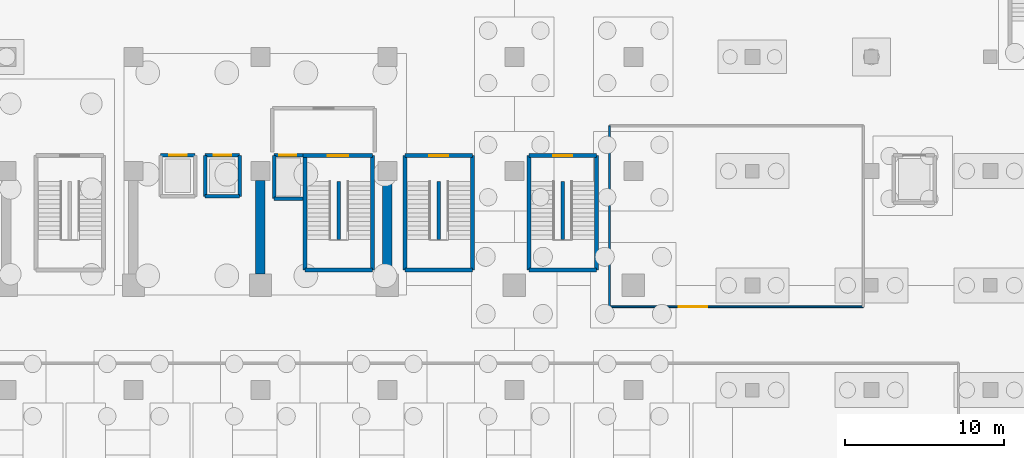
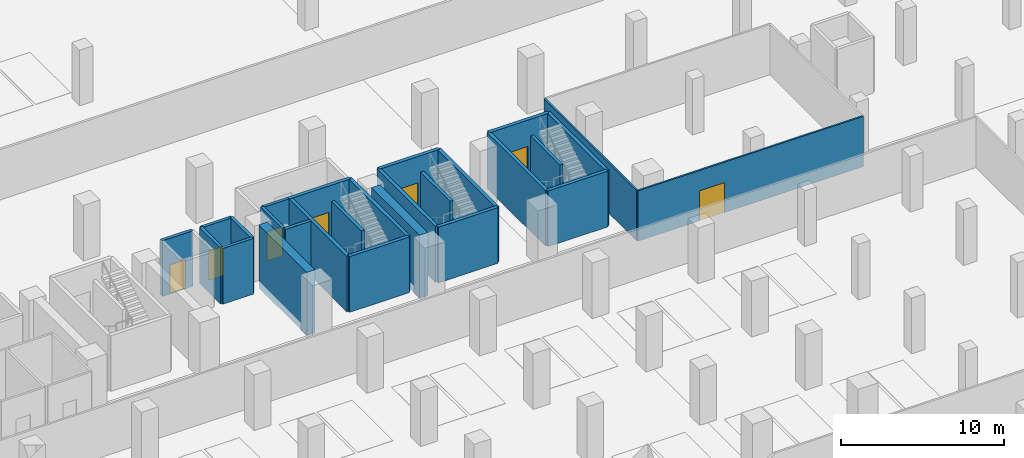
# One storey, part 11 of 26: 27 walls, 7 doors, 7 openings.
"""IFC4 building model written with IfcOpenShell, lengths in metres."""

from ifc_helpers import new_model, si_unit, direction, frame, frame_2d, origin, place, context, subcontext, project, spatial, rectangle, extrude, material, layer, layer_set, type_object, element, fill, save


model = new_model("IFC4")

# Units and contexts
model_context = context("Model", 3, precision=1e-05, world=origin(), true_north=direction((0.0, 1.0)))
body_context = subcontext(model_context, "Body", "Model", "MODEL_VIEW")
ifc_project = project(units=[si_unit("LENGTHUNIT", "METRE"), si_unit("AREAUNIT", "SQUARE_METRE"), si_unit("VOLUMEUNIT", "CUBIC_METRE"), si_unit("PLANEANGLEUNIT", "RADIAN"), si_unit("MASSUNIT", "GRAM", prefix="KILO")], contexts=[model_context])

# Site, building, storey
site_placement = place(None, origin())
site = spatial("IfcSite", under=ifc_project, at=site_placement, CompositionType="ELEMENT")
building_placement = place(site_placement, origin())
building = spatial("IfcBuilding", under=site, at=building_placement, Name="Akrevak Sports Hall", CompositionType="ELEMENT")
storey_placement = place(building_placement, frame((0.0, 0.0, -9.0)))
storey = spatial("IfcBuildingStorey", under=building, at=storey_placement, Name="B02", CompositionType="ELEMENT", Elevation=-9.0)

# Wall, opening, door
ifc_material_1 = material(Name="Standard Metal Stud Partition", Category="gypsum")
ifc_layer_1 = layer(ifc_material_1, 0.1201171875, Name="Standard Metal Stud Partition")
ifc_layer_set_1 = layer_set([ifc_layer_1], Name="Standard Metal Stud Partition")
wall_type_1 = type_object("IfcWallType", Name="ARC-WL-PRT-120", PredefinedType="PARTITIONING", material=ifc_layer_set_1)
wall_1_placement = place(storey_placement, frame((114.0, 53.85009765625, 0.0), z_axis=(0.0, 0.0, 1.0), x_axis=(1.0, 0.0, 0.0)))
wall_1 = element("IfcWall", 1, at=wall_1_placement, inside=storey, type_object=wall_type_1, Name="Interior Partition Athletic Gear & Equipment Storage B02 (S)", PredefinedType="PARTITIONING", context=body_context, shape_type="SweptSolid", body=[
    extrude(rectangle(XDim=16.0, YDim=0.1201171875, at=frame_2d((8.0, 0.0))), origin(), (0.0, 0.0, 1.0), 3.780029296875),
])
opening_1_placement = place(wall_1_placement, frame((4.35009765625, 0.0, 0.0)))
opening_1 = element("IfcOpeningElement", 2, at=opening_1_placement, cuts=wall_1, Name="Opening ID-02", PredefinedType="OPENING", context=body_context, shape_type="SweptSolid", body=[
    extrude(rectangle(XDim=1.800048828125, YDim=2.25, at=frame_2d((0.89990234375, 1.125))), frame((0.0, 0.072021484375, 0.0), z_axis=(0.0, -1.0, 0.0), x_axis=(1.0, 0.0, 0.0)), (0.0, 0.0, 1.0), 0.14404296875),
])
ifc_material_2 = material(Name="Hardwood Oak & Safety Glass", Category="wood")
door_type_1 = type_object("IfcDoorType", Name="ARC-DR-HALL-180x225", OperationType="DOUBLE_DOOR_SINGLE_SWING", PredefinedType="DOOR", material=ifc_material_2)
door_1_placement = place(opening_1_placement, origin())
door_1 = element("IfcDoor", 3, at=door_1_placement, inside=storey, type_object=door_type_1, Name="Door to Athletic Gear & Equipment Storage B02", OperationType="DOUBLE_DOOR_SINGLE_SWING", OverallHeight=2.25, OverallWidth=1.800048828125, PredefinedType="DOOR", context=body_context, shape_type="SweptSolid", body=[
    extrude(rectangle(XDim=1.800048828125, YDim=2.25, at=frame_2d((0.89990234375, 1.125))), frame((0.0, 0.02490234375, 0.0), z_axis=(0.0, -1.0, 0.0), x_axis=(1.0, 0.0, 0.0)), (0.0, 0.0, 1.0), 0.050048828125),
])
fill(opening_1, door_1)

# Walls
wall_2_placement = place(storey_placement, frame((114.0, 53.85009765625, 0.0), z_axis=(0.0, 0.0, 1.0), x_axis=(0.0, 1.0, 0.0)))
element("IfcWall", 4, at=wall_2_placement, inside=storey, type_object=wall_type_1, Name="Interior Partition Athletic Gear & Equipment Storage B02 (W)", PredefinedType="PARTITIONING", context=body_context, shape_type="SweptSolid", body=[
    extrude(rectangle(XDim=11.39990234375, YDim=0.1201171875, at=frame_2d((5.699951171875, 0.0))), origin(), (0.0, 0.0, 1.0), 3.780029296875),
])
ifc_material_3 = material(Name="Concrete C40/50", Category="concrete")
ifc_layer_2 = layer(ifc_material_3, 0.219970703125, Name="Concrete C40/50")
ifc_layer_set_2 = layer_set([ifc_layer_2], Name="Concrete C40/50")
wall_type_2 = type_object("IfcWallType", Name="ARC-WL-PRT-220", PredefinedType="PARTITIONING", material=ifc_layer_set_2)
for number, where, z_axis, x_axis, name in (
    (5, (96.949951171875, 58.094970703125, 0.0), (0.0, 0.0, 1.0), (0.0, 1.0, 0.0), "Stair ST2 Central Spine Wall (B02)"),
    (6, (103.25, 58.094970703125, 0.0), (0.0, 0.0, 1.0), (0.0, 1.0, 0.0), "Stair ST10 Central Spine Wall (B02)"),
    (7, (111.050048828125, 58.094970703125, 0.0), (0.0, 0.0, 1.0), (0.0, 1.0, 0.0), "Stair ST11 Central Spine Wall (B02)"),
):
    element("IfcWall", number, at=place(storey_placement, frame(where, z_axis=z_axis, x_axis=x_axis)), inside=storey, type_object=wall_type_2, Name=name, PredefinedType="PARTITIONING", context=body_context, shape_type="SweptSolid", body=[
        extrude(rectangle(XDim=3.64013671875, YDim=0.219970703125, at=frame_2d((1.820068359375, 0.0))), origin(), (0.0, 0.0, 1.0), 4.179931640625),
    ])
ifc_material_4 = material(Name="Concrete C50/60", Category="concrete")
ifc_layer_3 = layer(ifc_material_4, 0.219970703125, Name="Concrete C50/60")
ifc_layer_set_3 = layer_set([ifc_layer_3], Name="Concrete C50/60")
wall_type_3 = type_object("IfcWallType", Name="ARC-WL-SHAFT-220", PredefinedType="SHEAR", material=ifc_layer_set_3)
wall_3_placement = place(storey_placement, frame((92.860107421875, 60.659912109375, 0.0), z_axis=(0.0, 0.0, 1.0), x_axis=(1.0, 0.0, 0.0)))
element("IfcWall", 8, at=wall_3_placement, inside=storey, type_object=wall_type_3, Name="Lift Shaft LF-FF2 Wall S (B02)", PredefinedType="SHEAR", context=body_context, shape_type="SweptSolid", body=[
    extrude(rectangle(XDim=1.83984375, YDim=0.219970703125, at=frame_2d((0.919921875, 0.0))), origin(), (0.0, 0.0, 1.0), 4.179931640625),
])

# Wall, opening, door
wall_4_placement = place(storey_placement, frame((94.699951171875, 63.389892578125, 0.0), z_axis=(0.0, 0.0, 1.0), x_axis=(-1.0, 0.0, 0.0)))
wall_4 = element("IfcWall", 9, at=wall_4_placement, inside=storey, type_object=wall_type_3, Name="Lift Shaft LF-FF2 Wall N (B02)", PredefinedType="SHEAR", context=body_context, shape_type="SweptSolid", body=[
    extrude(rectangle(XDim=1.83984375, YDim=0.219970703125, at=frame_2d((0.919921875, 0.0))), origin(), (0.0, 0.0, 1.0), 4.179931640625),
])
opening_2_placement = place(wall_4_placement, frame((0.425048828125, 0.0, 0.0)))
opening_2 = element("IfcOpeningElement", 10, at=opening_2_placement, cuts=wall_4, Name="Opening LD-01", PredefinedType="OPENING", context=body_context, shape_type="SweptSolid", body=[
    extrude(rectangle(XDim=1.10009765625, YDim=2.199951171875, at=frame_2d((0.550048828125, 1.10009765625))), frame((0.0, 0.1220703125, 0.0), z_axis=(0.0, -1.0, 0.0), x_axis=(1.0, 0.0, 0.0)), (0.0, 0.0, 1.0), 0.243896484375),
])
ifc_material_5 = material(Name="Brushed Stainless Steel 304", Category="steel")
door_type_2 = type_object("IfcDoorType", Name="ARC-DR-LD-110x220", OperationType="SLIDING_TO_LEFT", PredefinedType="DOOR", material=ifc_material_5)
door_2_placement = place(opening_2_placement, origin())
door_2 = element("IfcDoor", 11, at=door_2_placement, inside=storey, type_object=door_type_2, Name="Lift LF-FF2 Sliding Landing Door (B02)", OperationType="SLIDING_TO_LEFT", OverallHeight=2.199951171875, OverallWidth=1.10009765625, PredefinedType="DOOR", context=body_context, shape_type="SweptSolid", body=[
    extrude(rectangle(XDim=1.10009765625, YDim=2.199951171875, at=frame_2d((0.550048828125, 1.10009765625))), frame((0.0, 0.02490234375, 0.0), z_axis=(0.0, -1.0, 0.0), x_axis=(1.0, 0.0, 0.0)), (0.0, 0.0, 1.0), 0.050048828125),
])
fill(opening_2, door_2)

# Wall
wall_5_placement = place(storey_placement, frame((92.860107421875, 63.389892578125, 0.0), z_axis=(0.0, 0.0, 1.0), x_axis=(0.0, -1.0, 0.0)))
element("IfcWall", 12, at=wall_5_placement, inside=storey, type_object=wall_type_3, Name="Lift Shaft LF-FF2 Wall W (B02)", PredefinedType="SHEAR", context=body_context, shape_type="SweptSolid", body=[
    extrude(rectangle(XDim=2.72998046875, YDim=0.219970703125, at=frame_2d((1.364990234375, 0.0))), origin(), (0.0, 0.0, 1.0), 4.179931640625),
])

# Wall, opening, door
wall_6_placement = place(storey_placement, frame((87.889892578125, 63.389892578125, 0.0), z_axis=(0.0, 0.0, 1.0), x_axis=(-1.0, 0.0, 0.0)))
wall_6 = element("IfcWall", 13, at=wall_6_placement, inside=storey, type_object=wall_type_3, Name="Lift Shaft LF-P3 Wall N (B02)", PredefinedType="SHEAR", context=body_context, shape_type="SweptSolid", body=[
    extrude(rectangle(XDim=2.179931640625, YDim=0.219970703125, at=frame_2d((1.08984375, 0.0))), origin(), (0.0, 0.0, 1.0), 4.179931640625),
])
opening_3_placement = place(wall_6_placement, frame((0.5400390625, 0.0, 0.0)))
opening_3 = element("IfcOpeningElement", 14, at=opening_3_placement, cuts=wall_6, Name="Opening LD-01", PredefinedType="OPENING", context=body_context, shape_type="SweptSolid", body=[
    extrude(rectangle(XDim=1.10009765625, YDim=2.199951171875, at=frame_2d((0.550048828125, 1.10009765625))), frame((0.0, 0.1220703125, 0.0), z_axis=(0.0, -1.0, 0.0), x_axis=(1.0, 0.0, 0.0)), (0.0, 0.0, 1.0), 0.243896484375),
])
door_3_placement = place(opening_3_placement, origin())
door_3 = element("IfcDoor", 15, at=door_3_placement, inside=storey, type_object=door_type_2, Name="Lift LF-P3 Sliding Landing Door (B02)", OperationType="SLIDING_TO_LEFT", OverallHeight=2.199951171875, OverallWidth=1.10009765625, PredefinedType="DOOR", context=body_context, shape_type="SweptSolid", body=[
    extrude(rectangle(XDim=1.10009765625, YDim=2.199951171875, at=frame_2d((0.550048828125, 1.10009765625))), frame((0.0, 0.02490234375, 0.0), z_axis=(0.0, -1.0, 0.0), x_axis=(1.0, 0.0, 0.0)), (0.0, 0.0, 1.0), 0.050048828125),
])
fill(opening_3, door_3)

# Wall
wall_7_placement = place(storey_placement, frame((88.510009765625, 60.81005859375, 0.0), z_axis=(0.0, 0.0, 1.0), x_axis=(1.0, 0.0, 0.0)))
element("IfcWall", 16, at=wall_7_placement, inside=storey, type_object=wall_type_3, Name="Lift Shaft LF-P4 Wall S (B02)", PredefinedType="SHEAR", context=body_context, shape_type="SweptSolid", body=[
    extrude(rectangle(XDim=2.179931640625, YDim=0.219970703125, at=frame_2d((1.08984375, 0.0))), origin(), (0.0, 0.0, 1.0), 4.179931640625),
])

# Wall, opening, door
wall_8_placement = place(storey_placement, frame((90.68994140625, 63.389892578125, 0.0), z_axis=(0.0, 0.0, 1.0), x_axis=(-1.0, 0.0, 0.0)))
wall_8 = element("IfcWall", 17, at=wall_8_placement, inside=storey, type_object=wall_type_3, Name="Lift Shaft LF-P4 Wall N (B02)", PredefinedType="SHEAR", context=body_context, shape_type="SweptSolid", body=[
    extrude(rectangle(XDim=2.179931640625, YDim=0.219970703125, at=frame_2d((1.08984375, 0.0))), origin(), (0.0, 0.0, 1.0), 4.179931640625),
])
opening_4_placement = place(wall_8_placement, frame((0.5400390625, 0.0, 0.0)))
opening_4 = element("IfcOpeningElement", 18, at=opening_4_placement, cuts=wall_8, Name="Opening LD-01", PredefinedType="OPENING", context=body_context, shape_type="SweptSolid", body=[
    extrude(rectangle(XDim=1.10009765625, YDim=2.199951171875, at=frame_2d((0.550048828125, 1.10009765625))), frame((0.0, 0.1220703125, 0.0), z_axis=(0.0, -1.0, 0.0), x_axis=(1.0, 0.0, 0.0)), (0.0, 0.0, 1.0), 0.243896484375),
])
door_4_placement = place(opening_4_placement, origin())
door_4 = element("IfcDoor", 19, at=door_4_placement, inside=storey, type_object=door_type_2, Name="Lift LF-P4 Sliding Landing Door (B02)", OperationType="SLIDING_TO_LEFT", OverallHeight=2.199951171875, OverallWidth=1.10009765625, PredefinedType="DOOR", context=body_context, shape_type="SweptSolid", body=[
    extrude(rectangle(XDim=1.10009765625, YDim=2.199951171875, at=frame_2d((0.550048828125, 1.10009765625))), frame((0.0, 0.02490234375, 0.0), z_axis=(0.0, -1.0, 0.0), x_axis=(1.0, 0.0, 0.0)), (0.0, 0.0, 1.0), 0.050048828125),
])
fill(opening_4, door_4)

# Walls
for number, where, z_axis, x_axis, name in (
    (20, (88.510009765625, 63.389892578125, 0.0), (0.0, 0.0, 1.0), (0.0, -1.0, 0.0), "Lift Shaft LF-P4 Wall W (B02)"),
    (21, (90.68994140625, 60.81005859375, 0.0), (0.0, 0.0, 1.0), (0.0, 1.0, 0.0), "Lift Shaft LF-P4 Wall E (B02)"),
):
    element("IfcWall", number, at=place(storey_placement, frame(where, z_axis=z_axis, x_axis=x_axis)), inside=storey, type_object=wall_type_3, Name=name, PredefinedType="SHEAR", context=body_context, shape_type="SweptSolid", body=[
        extrude(rectangle(XDim=2.579833984375, YDim=0.219970703125, at=frame_2d((1.2900390625, 0.0))), origin(), (0.0, 0.0, 1.0), 4.179931640625),
    ])
ifc_layer_4 = layer(ifc_material_4, 0.60009765625, Name="Concrete C50/60")
ifc_layer_set_4 = layer_set([ifc_layer_4], Name="Concrete C50/60")
wall_type_4 = type_object("IfcWallType", Name="STR-WL-CORE-600", PredefinedType="SHEAR", material=ifc_layer_set_4)
for number, where, z_axis, x_axis, name in (
    (22, (92.0, 55.89990234375, -0.550048828125), (0.0, 0.0, 1.0), (0.0, 1.0, 0.0), "Reinforced Concrete Shear Wall SW-E1 (B02)"),
    (23, (100.0, 55.89990234375, -0.550048828125), (0.0, 0.0, 1.0), (0.0, 1.0, 0.0), "Reinforced Concrete Shear Wall SW-E2 (B02)"),
):
    element("IfcWall", number, at=place(storey_placement, frame(where, z_axis=z_axis, x_axis=x_axis)), inside=storey, type_object=wall_type_4, Name=name, PredefinedType="SHEAR", context=body_context, shape_type="SweptSolid", body=[
        extrude(rectangle(XDim=5.900146484375, YDim=0.60009765625, at=frame_2d((2.9501953125, 0.0))), origin(), (0.0, 0.0, 1.0), 4.72998046875),
    ])
ifc_layer_5 = layer(ifc_material_4, 0.25, Name="Concrete C50/60")
ifc_layer_set_5 = layer_set([ifc_layer_5], Name="Concrete C50/60")
wall_type_5 = type_object("IfcWallType", Name="STR-WL-STAIR-250", PredefinedType="SHEAR", material=ifc_layer_set_5)
wall_9_placement = place(storey_placement, frame((94.824951171875, 56.175048828125, 0.0), z_axis=(0.0, 0.0, 1.0), x_axis=(1.0, 0.0, 0.0)))
element("IfcWall", 24, at=wall_9_placement, inside=storey, type_object=wall_type_5, Name="Stair Core ST2 Shear Wall S (B02)", PredefinedType="SHEAR", context=body_context, shape_type="SweptSolid", body=[
    extrude(rectangle(XDim=4.25, YDim=0.25, at=frame_2d((2.125, 0.0))), origin(), (0.0, 0.0, 1.0), 4.179931640625),
])

# Wall, opening, door
wall_10_placement = place(storey_placement, frame((99.074951171875, 63.375, 0.0), z_axis=(0.0, 0.0, 1.0), x_axis=(-1.0, 0.0, 0.0)))
wall_10 = element("IfcWall", 25, at=wall_10_placement, inside=storey, type_object=wall_type_5, Name="Stair Core ST2 Shear Wall N (B02)", PredefinedType="SHEAR", context=body_context, shape_type="SweptSolid", body=[
    extrude(rectangle(XDim=4.375, YDim=0.25, at=frame_2d((2.1875, 0.0))), origin(), (0.0, 0.0, 1.0), 4.179931640625),
])
opening_5_placement = place(wall_10_placement, frame((1.53759765625, 0.0, 0.0)))
opening_5 = element("IfcOpeningElement", 26, at=opening_5_placement, cuts=wall_10, Name="Opening SD-01", PredefinedType="OPENING", context=body_context, shape_type="SweptSolid", body=[
    extrude(rectangle(XDim=1.300048828125, YDim=2.199951171875, at=frame_2d((0.64990234375, 1.10009765625))), frame((0.0, 0.136962890625, 0.0), z_axis=(0.0, -1.0, 0.0), x_axis=(1.0, 0.0, 0.0)), (0.0, 0.0, 1.0), 0.27392578125),
])
ifc_material_6 = material(Name="Fire-Rated Galvanized Door Steel", Category="steel")
door_type_3 = type_object("IfcDoorType", Name="ARC-DR-STAIR-130x220", OperationType="NOTDEFINED", PredefinedType="DOOR", material=ifc_material_6)
door_5_placement = place(opening_5_placement, origin())
door_5 = element("IfcDoor", 27, at=door_5_placement, inside=storey, type_object=door_type_3, Name="Exit Stair ST2 Door (B02)", OperationType="SINGLE_SWING_LEFT", OverallHeight=2.199951171875, OverallWidth=1.300048828125, PredefinedType="DOOR", context=body_context, shape_type="SweptSolid", body=[
    extrude(rectangle(XDim=1.300048828125, YDim=2.199951171875, at=frame_2d((0.64990234375, 1.10009765625))), frame((0.0, 0.02490234375, 0.0), z_axis=(0.0, -1.0, 0.0), x_axis=(1.0, 0.0, 0.0)), (0.0, 0.0, 1.0), 0.050048828125),
])
fill(opening_5, door_5)

# Walls
wall_11_placement = place(storey_placement, frame((94.824951171875, 63.25, 0.0), z_axis=(0.0, 0.0, 1.0), x_axis=(0.0, -1.0, 0.0)))
element("IfcWall", 28, at=wall_11_placement, inside=storey, type_object=wall_type_5, Name="Stair Core ST2 Shear Wall W (B02)", PredefinedType="SHEAR", context=body_context, shape_type="SweptSolid", body=[
    extrude(rectangle(XDim=7.074951171875, YDim=0.25, at=frame_2d((3.53759765625, 0.0))), origin(), (0.0, 0.0, 1.0), 4.179931640625),
])
wall_12_placement = place(storey_placement, frame((99.074951171875, 56.175048828125, 0.0), z_axis=(0.0, 0.0, 1.0), x_axis=(0.0, 1.0, 0.0)))
element("IfcWall", 29, at=wall_12_placement, inside=storey, type_object=wall_type_5, Name="Stair Core ST2 Shear Wall E (B02)", PredefinedType="SHEAR", context=body_context, shape_type="SweptSolid", body=[
    extrude(rectangle(XDim=7.199951171875, YDim=0.25, at=frame_2d((3.60009765625, 0.0))), origin(), (0.0, 0.0, 1.0), 4.179931640625),
])
wall_13_placement = place(storey_placement, frame((101.125, 56.175048828125, 0.0), z_axis=(0.0, 0.0, 1.0), x_axis=(1.0, 0.0, 0.0)))
element("IfcWall", 30, at=wall_13_placement, inside=storey, type_object=wall_type_5, Name="Stair Core ST10 Shear Wall S (B02)", PredefinedType="SHEAR", context=body_context, shape_type="SweptSolid", body=[
    extrude(rectangle(XDim=4.25, YDim=0.25, at=frame_2d((2.125, 0.0))), origin(), (0.0, 0.0, 1.0), 4.179931640625),
])

# Wall, opening, door
wall_14_placement = place(storey_placement, frame((105.375, 63.375, 0.0), z_axis=(0.0, 0.0, 1.0), x_axis=(-1.0, 0.0, 0.0)))
wall_14 = element("IfcWall", 31, at=wall_14_placement, inside=storey, type_object=wall_type_5, Name="Stair Core ST10 Shear Wall N (B02)", PredefinedType="SHEAR", context=body_context, shape_type="SweptSolid", body=[
    extrude(rectangle(XDim=4.25, YDim=0.25, at=frame_2d((2.125, 0.0))), origin(), (0.0, 0.0, 1.0), 4.179931640625),
])
opening_6_placement = place(wall_14_placement, frame((1.52490234375, 0.0, 0.0)))
opening_6 = element("IfcOpeningElement", 32, at=opening_6_placement, cuts=wall_14, Name="Opening SD-02", PredefinedType="OPENING", context=body_context, shape_type="SweptSolid", body=[
    extrude(rectangle(XDim=1.199951171875, YDim=2.199951171875, at=frame_2d((0.60009765625, 1.10009765625))), frame((0.0, 0.136962890625, 0.0), z_axis=(0.0, -1.0, 0.0), x_axis=(1.0, 0.0, 0.0)), (0.0, 0.0, 1.0), 0.27392578125),
])
door_type_4 = type_object("IfcDoorType", Name="ARC-DR-STAIR-120x220", OperationType="NOTDEFINED", PredefinedType="DOOR", material=ifc_material_6)
door_6_placement = place(opening_6_placement, origin())
door_6 = element("IfcDoor", 33, at=door_6_placement, inside=storey, type_object=door_type_4, Name="Exit Stair ST10 Door (B02)", OperationType="SINGLE_SWING_LEFT", OverallHeight=2.199951171875, OverallWidth=1.199951171875, PredefinedType="DOOR", context=body_context, shape_type="SweptSolid", body=[
    extrude(rectangle(XDim=1.199951171875, YDim=2.199951171875, at=frame_2d((0.60009765625, 1.10009765625))), frame((0.0, 0.02490234375, 0.0), z_axis=(0.0, -1.0, 0.0), x_axis=(1.0, 0.0, 0.0)), (0.0, 0.0, 1.0), 0.050048828125),
])
fill(opening_6, door_6)

# Walls
for number, where, z_axis, x_axis, name in (
    (34, (101.125, 63.375, 0.0), (0.0, 0.0, 1.0), (0.0, -1.0, 0.0), "Stair Core ST10 Shear Wall W (B02)"),
    (35, (105.375, 56.175048828125, 0.0), (0.0, 0.0, 1.0), (0.0, 1.0, 0.0), "Stair Core ST10 Shear Wall E (B02)"),
):
    element("IfcWall", number, at=place(storey_placement, frame(where, z_axis=z_axis, x_axis=x_axis)), inside=storey, type_object=wall_type_5, Name=name, PredefinedType="SHEAR", context=body_context, shape_type="SweptSolid", body=[
        extrude(rectangle(XDim=7.199951171875, YDim=0.25, at=frame_2d((3.60009765625, 0.0))), origin(), (0.0, 0.0, 1.0), 4.179931640625),
    ])
wall_15_placement = place(storey_placement, frame((108.925048828125, 56.175048828125, 0.0), z_axis=(0.0, 0.0, 1.0), x_axis=(1.0, 0.0, 0.0)))
element("IfcWall", 36, at=wall_15_placement, inside=storey, type_object=wall_type_5, Name="Stair Core ST11 Shear Wall S (B02)", PredefinedType="SHEAR", context=body_context, shape_type="SweptSolid", body=[
    extrude(rectangle(XDim=4.25, YDim=0.25, at=frame_2d((2.125, 0.0))), origin(), (0.0, 0.0, 1.0), 4.179931640625),
])

# Wall, opening, door
wall_16_placement = place(storey_placement, frame((113.175048828125, 63.375, 0.0), z_axis=(0.0, 0.0, 1.0), x_axis=(-1.0, 0.0, 0.0)))
wall_16 = element("IfcWall", 37, at=wall_16_placement, inside=storey, type_object=wall_type_5, Name="Stair Core ST11 Shear Wall N (B02)", PredefinedType="SHEAR", context=body_context, shape_type="SweptSolid", body=[
    extrude(rectangle(XDim=4.25, YDim=0.25, at=frame_2d((2.125, 0.0))), origin(), (0.0, 0.0, 1.0), 4.179931640625),
])
opening_7_placement = place(wall_16_placement, frame((1.52490234375, 0.0, 0.0)))
opening_7 = element("IfcOpeningElement", 38, at=opening_7_placement, cuts=wall_16, Name="Opening SD-02", PredefinedType="OPENING", context=body_context, shape_type="SweptSolid", body=[
    extrude(rectangle(XDim=1.199951171875, YDim=2.199951171875, at=frame_2d((0.60009765625, 1.10009765625))), frame((0.0, 0.136962890625, 0.0), z_axis=(0.0, -1.0, 0.0), x_axis=(1.0, 0.0, 0.0)), (0.0, 0.0, 1.0), 0.27392578125),
])
door_7_placement = place(opening_7_placement, origin())
door_7 = element("IfcDoor", 39, at=door_7_placement, inside=storey, type_object=door_type_4, Name="Exit Stair ST11 Door (B02)", OperationType="SINGLE_SWING_RIGHT", OverallHeight=2.199951171875, OverallWidth=1.199951171875, PredefinedType="DOOR", context=body_context, shape_type="SweptSolid", body=[
    extrude(rectangle(XDim=1.199951171875, YDim=2.199951171875, at=frame_2d((0.60009765625, 1.10009765625))), frame((0.0, 0.02490234375, 0.0), z_axis=(0.0, -1.0, 0.0), x_axis=(1.0, 0.0, 0.0)), (0.0, 0.0, 1.0), 0.050048828125),
])
fill(opening_7, door_7)

# Walls
for number, where, z_axis, x_axis, name in (
    (40, (108.925048828125, 63.375, 0.0), (0.0, 0.0, 1.0), (0.0, -1.0, 0.0), "Stair Core ST11 Shear Wall W (B02)"),
    (41, (113.175048828125, 56.175048828125, 0.0), (0.0, 0.0, 1.0), (0.0, 1.0, 0.0), "Stair Core ST11 Shear Wall E (B02)"),
):
    element("IfcWall", number, at=place(storey_placement, frame(where, z_axis=z_axis, x_axis=x_axis)), inside=storey, type_object=wall_type_5, Name=name, PredefinedType="SHEAR", context=body_context, shape_type="SweptSolid", body=[
        extrude(rectangle(XDim=7.199951171875, YDim=0.25, at=frame_2d((3.60009765625, 0.0))), origin(), (0.0, 0.0, 1.0), 4.179931640625),
    ])

save(model, "model.ifc")
